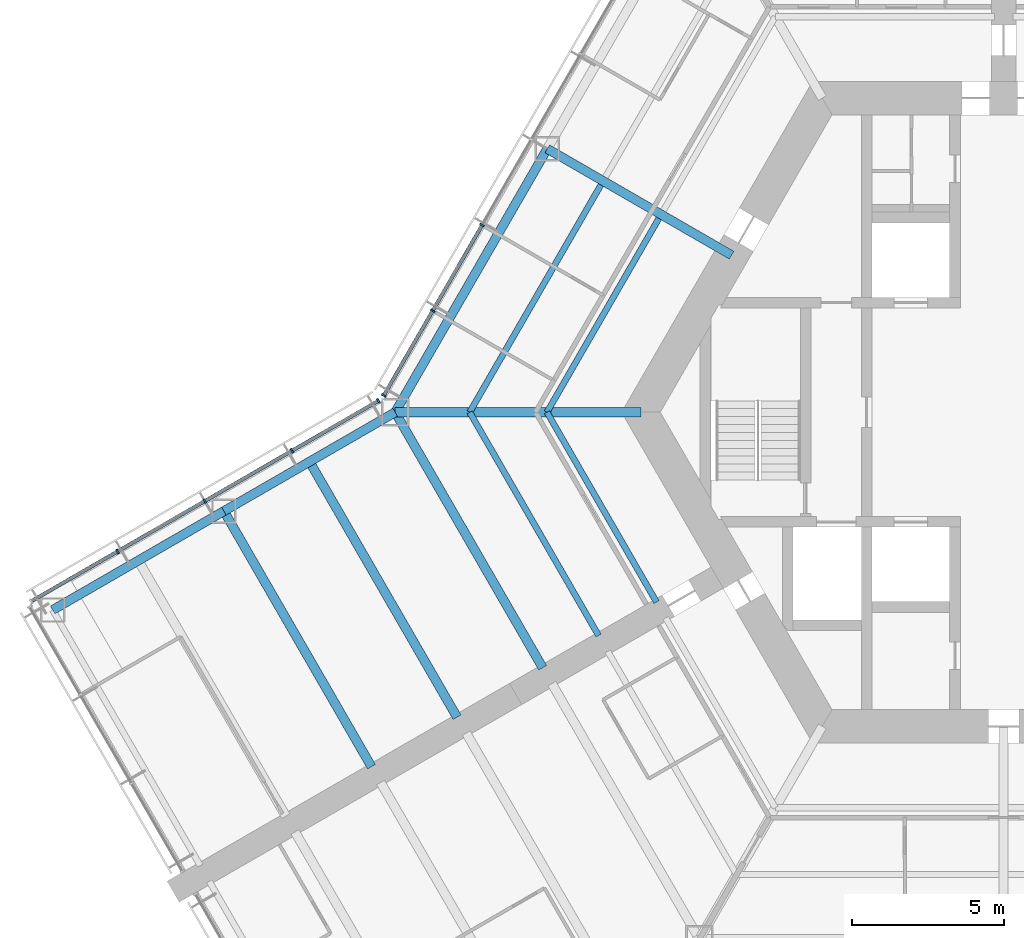
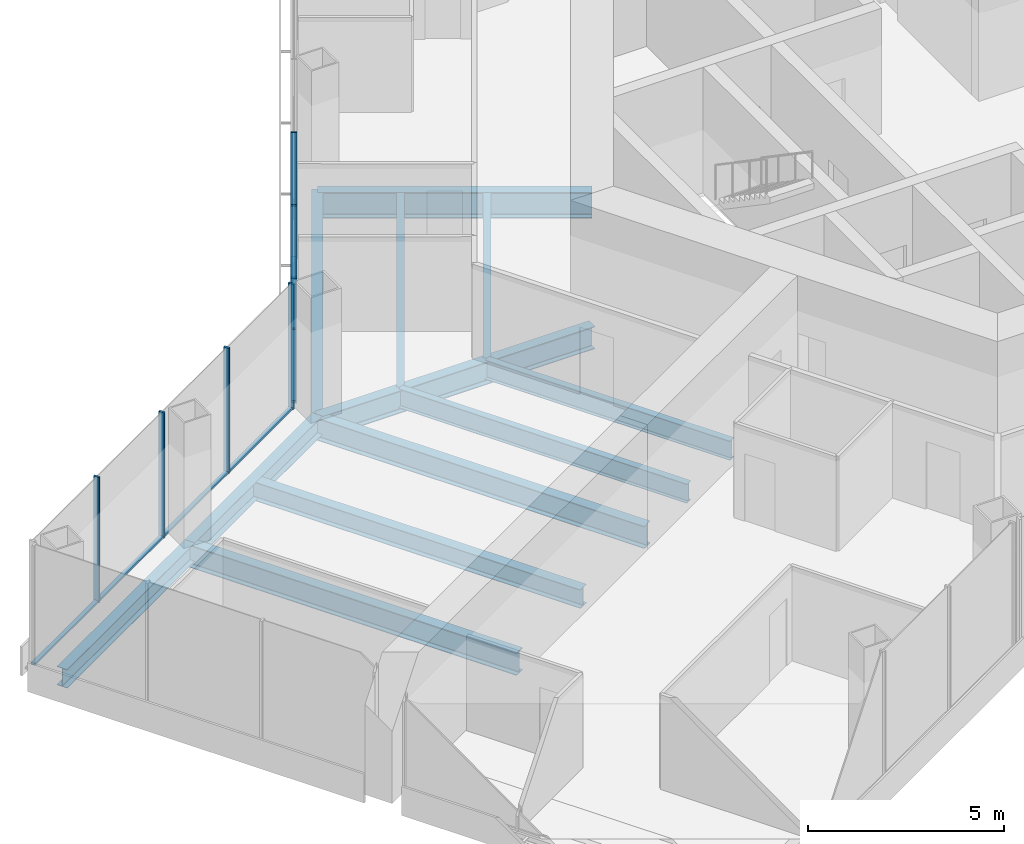
# One storey, part 4 of 19: 13 members, 12 beams, 2 elements without a shape of their own.
"""IFC4 building model written with IfcOpenShell, lengths in metres."""

from ifc_helpers import new_model, si_unit, direction, frame, origin, origin_2d, place, context, subcontext, project, spatial, rectangle, i_section, extrude, material, material_profile, profile_set, type_object, element, aggregate, save


model = new_model("IFC4")

# Units and contexts
model_context = context("Model", 3, precision=1e-05, world=origin(), true_north=direction((0.0, 1.0)))
body_context = subcontext(model_context, "Body", "Model", "MODEL_VIEW")
ifc_project = project(units=[si_unit("LENGTHUNIT", "METRE"), si_unit("AREAUNIT", "SQUARE_METRE"), si_unit("VOLUMEUNIT", "CUBIC_METRE"), si_unit("PLANEANGLEUNIT", "RADIAN"), si_unit("MASSUNIT", "GRAM", prefix="KILO")], contexts=[model_context])

# Site, building, storey
site_placement = place(None, origin())
site = spatial("IfcSite", under=ifc_project, at=site_placement, CompositionType="ELEMENT")
building_placement = place(site_placement, origin())
building = spatial("IfcBuilding", under=site, at=building_placement, Name="Kasaneha Research Tower", CompositionType="ELEMENT")
storey_placement = place(building_placement, frame((0.0, 0.0, 88.5)))
storey = spatial("IfcBuildingStorey", under=building, at=storey_placement, Name="L22", CompositionType="ELEMENT", Elevation=88.5)

# Beams
ifc_material_1 = material(Name="Steel SN490B", Category="steel")
ifc_material_profile_1 = material_profile(ifc_material_1, i_section(OverallWidth=0.199951171875, OverallDepth=0.60009765625, WebThickness=0.010986328125, FlangeThickness=0.01708984375, FilletRadius=0.012939453125, at=origin_2d()), Name="H-600x200x11x17")
ifc_profile_set_1 = profile_set([ifc_material_profile_1], Name="Steel SN490B")
beam_type_1 = type_object("IfcBeamType", Name="B1-3 secondary beam H-600x200x11x17", PredefinedType="JOIST", material=ifc_profile_set_1)
beam_1_placement = place(storey_placement, frame((-15.010986328125, 0.0, -0.449951171875), z_axis=(0.499994443168, 0.866028611999, 0.0), x_axis=(-0.866028611999, 0.499994443168, 0.0)))
element("IfcBeam", 1, at=beam_1_placement, inside=storey, type_object=beam_type_1, Name="Secondary beam RS150R1 L22", PredefinedType="JOIST", context=body_context, shape_type="SweptSolid", body=[
    extrude(i_section(OverallWidth=0.199951171875, OverallDepth=0.60009765625, WebThickness=0.010986328125, FlangeThickness=0.01708984375, FilletRadius=0.012939453125, at=origin_2d()), origin(), (0.0, 0.0, 1.0), 7.35546875),
])
beam_2_placement = place(storey_placement, frame((-17.551513671875, 0.0, -0.449951171875), z_axis=(0.5000050195, 0.866022505755, 0.0), x_axis=(-0.866022505755, 0.5000050195, 0.0)))
element("IfcBeam", 2, at=beam_2_placement, inside=storey, type_object=beam_type_1, Name="Secondary beam RS150R2 L22", PredefinedType="JOIST", context=body_context, shape_type="SweptSolid", body=[
    extrude(i_section(OverallWidth=0.199951171875, OverallDepth=0.60009765625, WebThickness=0.010986328125, FlangeThickness=0.01708984375, FilletRadius=0.012939453125, at=origin_2d()), origin(), (0.0, 0.0, 1.0), 8.6259765625),
])
beam_3_placement = place(storey_placement, frame((-15.010986328125, 0.0, -0.449951171875), z_axis=(0.499972735707, -0.866041144259, 0.0), x_axis=(0.866041144259, 0.499972735707, 0.0)))
element("IfcBeam", 3, at=beam_3_placement, inside=storey, type_object=beam_type_1, Name="Secondary beam RS210L1 L22", PredefinedType="JOIST", context=body_context, shape_type="SweptSolid", body=[
    extrude(i_section(OverallWidth=0.199951171875, OverallDepth=0.60009765625, WebThickness=0.010986328125, FlangeThickness=0.01708984375, FilletRadius=0.012939453125, at=origin_2d()), origin(), (0.0, 0.0, 1.0), 7.20556640625),
])
beam_4_placement = place(storey_placement, frame((-17.551513671875, 0.0, -0.449951171875), z_axis=(0.500020829043, -0.866013377797, 0.0), x_axis=(0.866013377797, 0.500020829043, 0.0)))
element("IfcBeam", 4, at=beam_4_placement, inside=storey, type_object=beam_type_1, Name="Secondary beam RS210L2 L22", PredefinedType="JOIST", context=body_context, shape_type="SweptSolid", body=[
    extrude(i_section(OverallWidth=0.199951171875, OverallDepth=0.60009765625, WebThickness=0.010986328125, FlangeThickness=0.01708984375, FilletRadius=0.012939453125, at=origin_2d()), origin(), (0.0, 0.0, 1.0), 8.475830078125),
])
ifc_material_2 = material(Name="Steel SN490B", Category="steel")
ifc_material_profile_2 = material_profile(ifc_material_2, i_section(OverallWidth=0.300048828125, OverallDepth=0.58203125, WebThickness=0.011962890625, FlangeThickness=0.01708984375, FilletRadius=0.012939453125, at=origin_2d()), Name="H-582x300x12x17")
ifc_profile_set_2 = profile_set([ifc_material_profile_2], Name="Steel SN490B")
beam_type_2 = type_object("IfcBeamType", Name="B2-3 secondary beam H-582x300x12x17", PredefinedType="JOIST", material=ifc_profile_set_2)
beam_5_placement = place(storey_placement, frame((-22.814697265625, -1.625, -0.44091796875), z_axis=(0.500010041276, -0.866019606374, 0.0), x_axis=(0.866019606374, 0.500010041276, 0.0)))
element("IfcBeam", 5, at=beam_5_placement, inside=storey, type_object=beam_type_2, Name="Secondary beam WBBP1 L22", PredefinedType="JOIST", context=body_context, shape_type="SweptSolid", body=[
    extrude(i_section(OverallWidth=0.300048828125, OverallDepth=0.58203125, WebThickness=0.011962890625, FlangeThickness=0.01708984375, FilletRadius=0.012939453125, at=origin_2d()), origin(), (0.0, 0.0, 1.0), 9.699951171875),
])

# Curtain wall, members
ifc_material_3 = material(Name="Glass and aluminium", Category="aluminium")
curtain_wall_type = type_object("IfcCurtainWallType", Name="Low-rise office curtain wall", PredefinedType="USERDEFINED", material=ifc_material_3)
curtain_wall_1_placement = place(storey_placement, origin())
curtain_wall_1 = element("IfcCurtainWall", 6, at=curtain_wall_1_placement, inside=storey, type_object=curtain_wall_type, Name="CW-O1 L22 run 12a", ObjectType="UNITISED CURTAIN WALL", PredefinedType="USERDEFINED")
ifc_material_4 = material(Name="Aluminium 6063-T6", Category="aluminium")
ifc_material_profile_3 = material_profile(ifc_material_4, rectangle(XDim=0.06005859375, YDim=0.159912109375, at=origin_2d()), Name="CW-O1 mullion 60x160")
ifc_profile_set_3 = profile_set([ifc_material_profile_3], Name="Aluminium 6063-T6")
member_type_1 = type_object("IfcMemberType", Name="CW-O1 mullion", PredefinedType="MULLION", material=ifc_profile_set_3)
member_1_placement = place(storey_placement, frame((-17.142822265625, 6.148681640625, 0.0), z_axis=(0.0, 0.0, 1.0), x_axis=(-0.49999996188, -0.866025425793, 0.0)))
member_1 = element("IfcMember", 7, at=member_1_placement, type_object=member_type_1, Name="CW-O1 mullion 5", PredefinedType="MULLION", context=body_context, shape_type="SweptSolid", body=[
    extrude(rectangle(XDim=0.06005859375, YDim=0.159912109375, at=origin_2d()), origin(), (0.0, 0.0, 1.0), 3.89990234375),
])
member_2_placement = place(storey_placement, frame((-18.76611328125, 3.33740234375, 0.0), z_axis=(0.0, 0.0, 1.0), x_axis=(-0.49999996188, -0.866025425793, 0.0)))
member_2 = element("IfcMember", 8, at=member_2_placement, type_object=member_type_1, Name="CW-O1 mullion 6", PredefinedType="MULLION", context=body_context, shape_type="SweptSolid", body=[
    extrude(rectangle(XDim=0.06005859375, YDim=0.159912109375, at=origin_2d()), origin(), (0.0, 0.0, 1.0), 3.89990234375),
])
member_3_placement = place(storey_placement, frame((-20.374267578125, 0.5517578125, 0.0), z_axis=(0.0, 0.0, 1.0), x_axis=(-0.49999996188, -0.866025425793, 0.0)))
member_3 = element("IfcMember", 9, at=member_3_placement, type_object=member_type_1, Name="CW-O1 mullion 7", PredefinedType="MULLION", context=body_context, shape_type="SweptSolid", body=[
    extrude(rectangle(XDim=0.06005859375, YDim=0.159912109375, at=origin_2d()), origin(), (0.0, 0.0, 1.0), 3.89990234375),
])

curtain_wall_2_placement = place(storey_placement, origin())
curtain_wall_2 = element("IfcCurtainWall", 10, at=curtain_wall_2_placement, inside=storey, type_object=curtain_wall_type, Name="CW-O1 L22 run 13a", ObjectType="UNITISED CURTAIN WALL", PredefinedType="USERDEFINED")
member_4_placement = place(storey_placement, frame((-20.5517578125, 0.374267578125, 0.0), z_axis=(0.0, 0.0, 1.0), x_axis=(-0.866025411464, -0.499999986699, 0.0)))
member_4 = element("IfcMember", 11, at=member_4_placement, type_object=member_type_1, Name="CW-O1 mullion 1", PredefinedType="MULLION", context=body_context, shape_type="SweptSolid", body=[
    extrude(rectangle(XDim=0.06005859375, YDim=0.159912109375, at=origin_2d()), origin(), (0.0, 0.0, 1.0), 3.89990234375),
])
member_5_placement = place(storey_placement, frame((-23.39208984375, -1.265625, 0.0), z_axis=(0.0, 0.0, 1.0), x_axis=(-0.866025411464, -0.499999986699, 0.0)))
member_5 = element("IfcMember", 12, at=member_5_placement, type_object=member_type_1, Name="CW-O1 mullion 2", PredefinedType="MULLION", context=body_context, shape_type="SweptSolid", body=[
    extrude(rectangle(XDim=0.06005859375, YDim=0.159912109375, at=origin_2d()), origin(), (0.0, 0.0, 1.0), 3.89990234375),
])
member_6_placement = place(storey_placement, frame((-26.258544921875, -2.920654296875, 0.0), z_axis=(0.0, 0.0, 1.0), x_axis=(-0.866025411464, -0.499999986699, 0.0)))
member_6 = element("IfcMember", 13, at=member_6_placement, type_object=member_type_1, Name="CW-O1 mullion 3", PredefinedType="MULLION", context=body_context, shape_type="SweptSolid", body=[
    extrude(rectangle(XDim=0.06005859375, YDim=0.159912109375, at=origin_2d()), origin(), (0.0, 0.0, 1.0), 3.89990234375),
])
member_7_placement = place(storey_placement, frame((-29.125, -4.575439453125, 0.0), z_axis=(0.0, 0.0, 1.0), x_axis=(-0.866025411464, -0.499999986699, 0.0)))
member_7 = element("IfcMember", 14, at=member_7_placement, type_object=member_type_1, Name="CW-O1 mullion 4", PredefinedType="MULLION", context=body_context, shape_type="SweptSolid", body=[
    extrude(rectangle(XDim=0.06005859375, YDim=0.159912109375, at=origin_2d()), origin(), (0.0, 0.0, 1.0), 3.89990234375),
])

# Member
ifc_material_5 = material(Name="Aluminium 6063-T6", Category="aluminium")
ifc_material_profile_4 = material_profile(ifc_material_5, rectangle(XDim=0.1201171875, YDim=0.06005859375, at=origin_2d()), Name="CW-O1 transom 120x60")
ifc_profile_set_4 = profile_set([ifc_material_profile_4], Name="Aluminium 6063-T6")
member_type_2 = type_object("IfcMemberType", Name="CW-O1 transom", PredefinedType="USERDEFINED", material=ifc_profile_set_4)
member_8_placement = place(storey_placement, frame((-17.15771484375, 6.122802734375, 0.030029296875), z_axis=(-0.500012062035, -0.866018439653, 0.0), x_axis=(0.866018439653, -0.500012062035, 0.0)))
member_8 = element("IfcMember", 15, at=member_8_placement, type_object=member_type_2, Name="CW-O1 transom 5", ObjectType="TRANSOM", PredefinedType="USERDEFINED", context=body_context, shape_type="SweptSolid", body=[
    extrude(rectangle(XDim=0.1201171875, YDim=0.06005859375, at=origin_2d()), origin(), (0.0, 0.0, 1.0), 3.1865234375),
])

member_9_placement = place(storey_placement, frame((-18.781005859375, 3.311279296875, 0.030029296875), z_axis=(-0.499999210213, -0.866025859768, 0.0), x_axis=(0.866025859768, -0.499999210213, 0.0)))
member_9 = element("IfcMember", 16, at=member_9_placement, type_object=member_type_2, Name="CW-O1 transom 6", ObjectType="TRANSOM", PredefinedType="USERDEFINED", context=body_context, shape_type="SweptSolid", body=[
    extrude(rectangle(XDim=0.1201171875, YDim=0.06005859375, at=origin_2d()), origin(), (0.0, 0.0, 1.0), 3.15625),
])

aggregate(curtain_wall_1, [member_1, member_2, member_3, member_8, member_9])

member_10_placement = place(storey_placement, frame((-20.577880859375, 0.359130859375, 0.030029296875), z_axis=(-0.866022692473, -0.500004696101, 0.0), x_axis=(0.500004696101, -0.866022692473, 0.0)))
member_10 = element("IfcMember", 17, at=member_10_placement, type_object=member_type_2, Name="CW-O1 transom 1", ObjectType="TRANSOM", PredefinedType="USERDEFINED", context=body_context, shape_type="SweptSolid", body=[
    extrude(rectangle(XDim=0.1201171875, YDim=0.06005859375, at=origin_2d()), origin(), (0.0, 0.0, 1.0), 3.2197265625),
])

member_11_placement = place(storey_placement, frame((-23.418212890625, -1.28076171875, 0.030029296875), z_axis=(-0.86604797581, -0.499960902066, 0.0), x_axis=(0.499960902066, -0.86604797581, 0.0)))
member_11 = element("IfcMember", 18, at=member_11_placement, type_object=member_type_2, Name="CW-O1 transom 2", ObjectType="TRANSOM", PredefinedType="USERDEFINED", context=body_context, shape_type="SweptSolid", body=[
    extrude(rectangle(XDim=0.1201171875, YDim=0.06005859375, at=origin_2d()), origin(), (0.0, 0.0, 1.0), 3.249755859375),
])

member_12_placement = place(storey_placement, frame((-26.28466796875, -2.935546875, 0.030029296875), z_axis=(-0.86599666273, -0.500049777664, 0.0), x_axis=(0.500049777664, -0.86599666273, 0.0)))
member_12 = element("IfcMember", 19, at=member_12_placement, type_object=member_type_2, Name="CW-O1 transom 3", ObjectType="TRANSOM", PredefinedType="USERDEFINED", context=body_context, shape_type="SweptSolid", body=[
    extrude(rectangle(XDim=0.1201171875, YDim=0.06005859375, at=origin_2d()), origin(), (0.0, 0.0, 1.0), 3.249755859375),
])

member_13_placement = place(storey_placement, frame((-29.15087890625, -4.590576171875, 0.030029296875), z_axis=(-0.866041647767, -0.499971863542, 0.0), x_axis=(0.499971863542, -0.866041647767, 0.0)))
member_13 = element("IfcMember", 20, at=member_13_placement, type_object=member_type_2, Name="CW-O1 transom 4", ObjectType="TRANSOM", PredefinedType="USERDEFINED", context=body_context, shape_type="SweptSolid", body=[
    extrude(rectangle(XDim=0.1201171875, YDim=0.06005859375, at=origin_2d()), origin(), (0.0, 0.0, 1.0), 3.219970703125),
])

aggregate(curtain_wall_2, [member_4, member_5, member_6, member_7, member_10, member_11, member_12, member_13])

# Beams
ifc_material_6 = material(Name="Steel SN490B", Category="steel")
ifc_material_profile_5 = material_profile(ifc_material_6, i_section(OverallWidth=0.300048828125, OverallDepth=0.699951171875, WebThickness=0.012939453125, FlangeThickness=0.02392578125, FilletRadius=0.01806640625, at=origin_2d()), Name="H-700x300x13x24")
ifc_profile_set_5 = profile_set([ifc_material_profile_5], Name="Steel SN490B")
beam_type_3 = type_object("IfcBeamType", Name="G1-3 radial girder H-700x300x13x24", PredefinedType="BEAM", material=ifc_profile_set_5)
beam_6_placement = place(storey_placement, frame((-11.92236328125, 0.0, -0.5), z_axis=(-1.0, 0.0, 0.0), x_axis=(0.0, -1.0, 0.0)))
element("IfcBeam", 21, at=beam_6_placement, inside=storey, type_object=beam_type_3, Name="Radial girder RV180 L22", PredefinedType="BEAM", context=body_context, shape_type="SweptSolid", body=[
    extrude(i_section(OverallWidth=0.300048828125, OverallDepth=0.699951171875, WebThickness=0.012939453125, FlangeThickness=0.02392578125, FilletRadius=0.01806640625, at=origin_2d()), origin(), (0.0, 0.0, 1.0), 8.07763671875),
])
ifc_material_7 = material(Name="Steel SN490B", Category="steel")
ifc_material_profile_6 = material_profile(ifc_material_7, i_section(OverallWidth=0.300048828125, OverallDepth=0.800048828125, WebThickness=0.013916015625, FlangeThickness=0.02587890625, FilletRadius=0.01806640625, at=origin_2d()), Name="H-800x300x14x26")
ifc_profile_set_6 = profile_set([ifc_material_profile_6], Name="Steel SN490B")
beam_type_4 = type_object("IfcBeamType", Name="G2-3 radial girder H-800x300x14x26", PredefinedType="BEAM", material=ifc_profile_set_6)
beam_7_placement = place(storey_placement, frame((-8.941650390625, 5.16259765625, -0.550048828125), z_axis=(-0.866039713508, 0.499975214012, 0.0), x_axis=(-0.499975214012, -0.866039713508, 0.0)))
element("IfcBeam", 22, at=beam_7_placement, inside=storey, type_object=beam_type_4, Name="Radial girder RM150 L22", PredefinedType="BEAM", context=body_context, shape_type="SweptSolid", body=[
    extrude(i_section(OverallWidth=0.300048828125, OverallDepth=0.800048828125, WebThickness=0.013916015625, FlangeThickness=0.02587890625, FilletRadius=0.01806640625, at=origin_2d()), origin(), (0.0, 0.0, 1.0), 6.995361328125),
])
ifc_material_8 = material(Name="Steel SN490B", Category="steel")
ifc_material_profile_7 = material_profile(ifc_material_8, i_section(OverallWidth=0.300048828125, OverallDepth=0.69189453125, WebThickness=0.012939453125, FlangeThickness=0.02001953125, FilletRadius=0.01806640625, at=origin_2d()), Name="H-692x300x13x20")
ifc_profile_set_7 = profile_set([ifc_material_profile_7], Name="Steel SN490B")
beam_type_5 = type_object("IfcBeamType", Name="G3-3 plate edge girder H-692x300x13x20", PredefinedType="BEAM", material=ifc_profile_set_7)
beam_8_placement = place(storey_placement, frame((-20.0, 0.0, -0.49609375), z_axis=(0.500010041276, -0.866019606374, 0.0), x_axis=(0.866019606374, 0.500010041276, 0.0)))
element("IfcBeam", 23, at=beam_8_placement, inside=storey, type_object=beam_type_5, Name="Plate edge girder PEBP L22", PredefinedType="BEAM", context=body_context, shape_type="SweptSolid", body=[
    extrude(i_section(OverallWidth=0.300048828125, OverallDepth=0.69189453125, WebThickness=0.012939453125, FlangeThickness=0.02001953125, FilletRadius=0.01806640625, at=origin_2d()), origin(), (0.0, 0.0, 1.0), 9.699951171875),
])
ifc_material_9 = material(Name="Steel SN490B", Category="steel")
ifc_material_profile_8 = material_profile(ifc_material_9, i_section(OverallWidth=0.300048828125, OverallDepth=0.699951171875, WebThickness=0.012939453125, FlangeThickness=0.02392578125, FilletRadius=0.01806640625, at=origin_2d()), Name="H-700x300x13x24")
ifc_profile_set_8 = profile_set([ifc_material_profile_8], Name="Steel SN490B")
beam_type_6 = type_object("IfcBeamType", Name="G4-3 wing girder H-700x300x13x24", PredefinedType="BEAM", material=ifc_profile_set_8)
beam_9_placement = place(storey_placement, frame((-25.629150390625, -3.25, -0.5), z_axis=(0.500010041276, -0.866019606374, 0.0), x_axis=(0.866019606374, 0.500010041276, 0.0)))
element("IfcBeam", 24, at=beam_9_placement, inside=storey, type_object=beam_type_6, Name="Wing girder WGBP L22", PredefinedType="BEAM", context=body_context, shape_type="SweptSolid", body=[
    extrude(i_section(OverallWidth=0.300048828125, OverallDepth=0.699951171875, WebThickness=0.012939453125, FlangeThickness=0.02392578125, FilletRadius=0.01806640625, at=origin_2d()), origin(), (0.0, 0.0, 1.0), 9.699951171875),
])
ifc_material_10 = material(Name="Steel SN490B", Category="steel")
ifc_material_profile_9 = material_profile(ifc_material_10, i_section(OverallWidth=0.300048828125, OverallDepth=0.69189453125, WebThickness=0.012939453125, FlangeThickness=0.02001953125, FilletRadius=0.01806640625, at=origin_2d()), Name="H-692x300x13x20")
ifc_profile_set_9 = profile_set([ifc_material_profile_9], Name="Steel SN490B")
beam_type_7 = type_object("IfcBeamType", Name="SB1-3 spandrel beam H-692x300x13x20", PredefinedType="SPANDREL", material=ifc_profile_set_9)
beam_10_placement = place(storey_placement, frame((-20.0, 0.0, -0.49609375), z_axis=(0.500004234368, 0.866022959057, 0.0), x_axis=(-0.866022959057, 0.500004234368, 0.0)))
element("IfcBeam", 25, at=beam_10_placement, inside=storey, type_object=beam_type_7, Name="Spandrel beam SR150R L22", PredefinedType="SPANDREL", context=body_context, shape_type="SweptSolid", body=[
    extrude(i_section(OverallWidth=0.300048828125, OverallDepth=0.69189453125, WebThickness=0.012939453125, FlangeThickness=0.02001953125, FilletRadius=0.01806640625, at=origin_2d()), origin(), (0.0, 0.0, 1.0), 10.0),
])
ifc_material_11 = material(Name="Steel SN490B", Category="steel")
ifc_material_profile_10 = material_profile(ifc_material_11, i_section(OverallWidth=0.300048828125, OverallDepth=0.58203125, WebThickness=0.011962890625, FlangeThickness=0.01708984375, FilletRadius=0.012939453125, at=origin_2d()), Name="H-582x300x12x17")
ifc_profile_set_10 = profile_set([ifc_material_profile_10], Name="Steel SN490B")
beam_type_8 = type_object("IfcBeamType", Name="SB2-3 spandrel beam H-582x300x12x17", PredefinedType="SPANDREL", material=ifc_profile_set_10)
for number, where, z_axis, x_axis, name in (
    (26, (-20.0, 0.0, -0.44091796875), (-0.866024837091, -0.50000098154, 0.0), (0.50000098154, -0.866024837091, 0.0), "Spandrel beam WSBP1 L22"),
    (27, (-25.629150390625, -3.25, -0.44091796875), (-0.866024837091, -0.50000098154, 0.0), (0.50000098154, -0.866024837091, 0.0), "Spandrel beam WSBP2 L22"),
):
    element("IfcBeam", number, at=place(storey_placement, frame(where, z_axis=z_axis, x_axis=x_axis)), inside=storey, type_object=beam_type_8, Name=name, PredefinedType="SPANDREL", context=body_context, shape_type="SweptSolid", body=[
        extrude(i_section(OverallWidth=0.300048828125, OverallDepth=0.58203125, WebThickness=0.011962890625, FlangeThickness=0.01708984375, FilletRadius=0.012939453125, at=origin_2d()), origin(), (0.0, 0.0, 1.0), 6.5),
    ])

save(model, "model.ifc")
